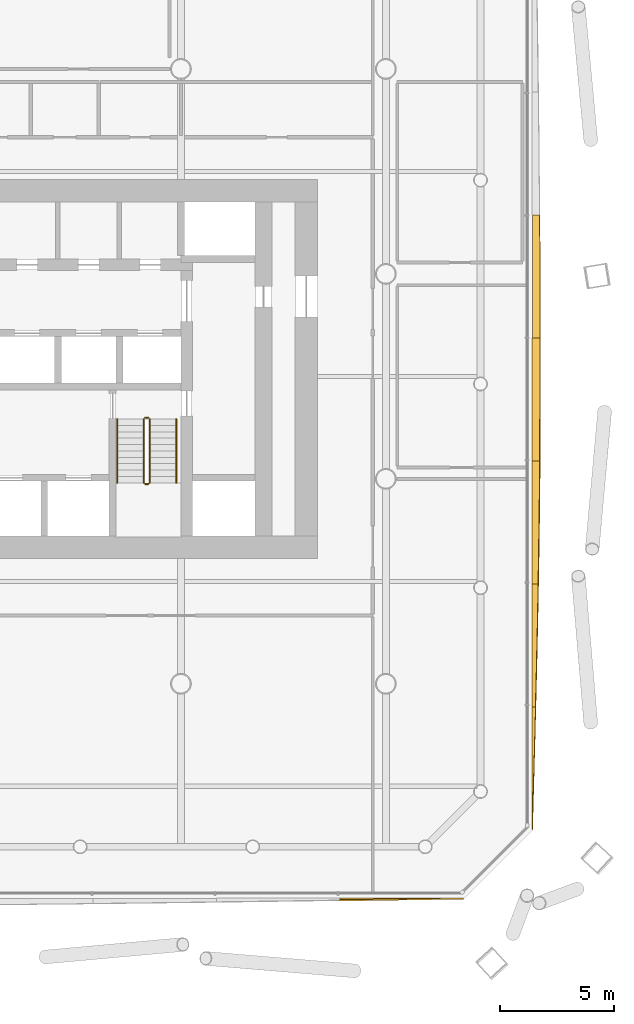
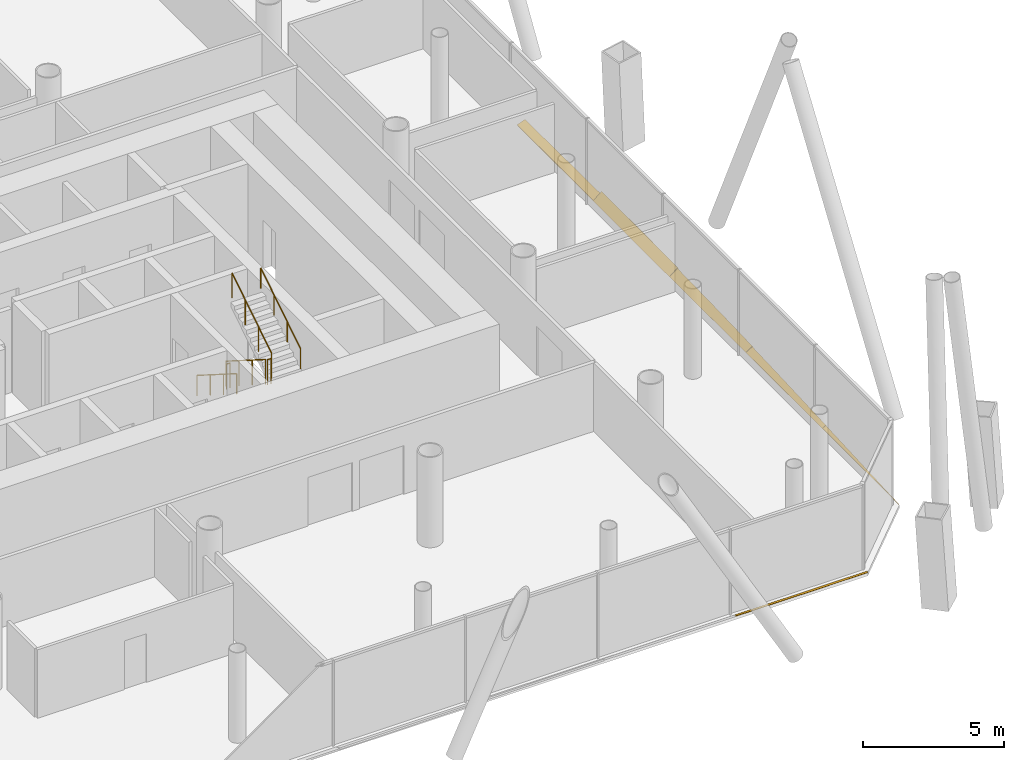
# One storey, part 23 of 25: 6 railings, 6 shading devices.
"""IFC4 building model written with IfcOpenShell, lengths in metres."""

from ifc_helpers import new_model, si_unit, direction, frame, origin, origin_2d, place, context, subcontext, project, spatial, polyline, circle, outline, extrude, material, layer, layer_set, type_object, element, save


model = new_model("IFC4")

# Units and contexts
model_context = context("Model", 3, precision=1e-05, world=origin(), true_north=direction((0.0, 1.0)))
body_context = subcontext(model_context, "Body", "Model", "MODEL_VIEW")
ifc_project = project(units=[si_unit("LENGTHUNIT", "METRE"), si_unit("AREAUNIT", "SQUARE_METRE"), si_unit("VOLUMEUNIT", "CUBIC_METRE"), si_unit("PLANEANGLEUNIT", "RADIAN"), si_unit("MASSUNIT", "GRAM", prefix="KILO")], contexts=[model_context])

# Site, building, storey
site_placement = place(None, origin())
site = spatial("IfcSite", under=ifc_project, at=site_placement, CompositionType="ELEMENT")
building_placement = place(site_placement, origin())
building = spatial("IfcBuilding", under=site, at=building_placement, Name="Tskaro Facet Tower", CompositionType="ELEMENT")
storey_placement = place(building_placement, frame((0.0, 0.0, 22.5)))
storey = spatial("IfcBuildingStorey", under=building, at=storey_placement, Name="L04", CompositionType="ELEMENT", Elevation=22.5)

# Shading devices
ifc_material_1 = material(Name="Bronze anodised aluminium 6063-T6", Category="aluminium")
ifc_layer = layer(ifc_material_1, 0.06005859375, Name="Bronze anodised aluminium 6063-T6")
ifc_layer_set = layer_set([ifc_layer], Name="Bronze anodised aluminium 6063-T6")
shading_device_type = type_object("IfcShadingDeviceType", Name="Bronze sun blade (FN1)", PredefinedType="USERDEFINED", material=ifc_layer_set)
shading_device_1_placement = place(storey_placement, frame((15.98486328125, -27.413330078125, 0.0458984375), z_axis=(-9.024937e-06, 0.642137538732, 0.766589447664), x_axis=(0.999999999959, 5.795251e-06, 6.918421e-06)))
element("IfcShadingDevice", 1, at=shading_device_1_placement, inside=storey, type_object=shading_device_type, Name="Fin blade south 9", ObjectType="FIN", PredefinedType="USERDEFINED", context=body_context, shape_type="SweptSolid", body=[
    extrude(outline(polyline([(0.0, 0.0), (5.424072265404106, 0.0), (4.746093749500129, -0.013347551430598995), (4.068115233596151, -0.02669510286119799), (3.39013671910703, -0.03985549866491826), (2.7119140625780633, -0.053203050095517256), (2.0339355463998743, -0.06620667403918917), (1.3559570319107532, -0.07936706984290944), (0.6779785157325643, -0.09237069378658136), (-4.4562458562692185e-10, -0.10537431773025327), (0.0, 0.0)])), origin(), (0.0, 0.0, -1.0), 0.06005859375),
])
shading_device_2_placement = place(storey_placement, frame((24.4267578125, -24.408935546875, 0.054443359375), z_axis=(-0.422618801449, -3.185785e-06, 0.906307535361), x_axis=(-1.346372e-06, 0.999999999995, 2.887301e-06)))
element("IfcShadingDevice", 2, at=shading_device_2_placement, inside=storey, type_object=shading_device_type, Name="Fin blade east 1", ObjectType="FIN", PredefinedType="USERDEFINED", context=body_context, shape_type="SweptSolid", body=[
    extrude(outline(polyline([(0.0, 0.0), (5.397705078097609, 0.0), (5.397705078154145, -0.16055842721708036), (4.722900390733626, -0.14144361875545267), (4.0480957029369025, -0.12200436538737569), (3.3735351560938835, -0.10234384553117237), (2.6987304685783657, -0.08213761428039341), (2.024169922016551, -0.061710116541488134), (1.3493652341248308, -0.04117944038425987), (0.6745605472667218, -0.02053067615722826), (0.0, 0.0)])), origin(), (0.0, 0.0, -1.0), 0.06005859375),
])
shading_device_3_placement = place(storey_placement, frame((24.422119140625, -19.01123046875, 0.052001953125), z_axis=(-0.500064993604, 7.144409e-06, 0.865987876429), x_axis=(3.572669e-06, 0.999999999974, -6.186971e-06)))
element("IfcShadingDevice", 3, at=shading_device_3_placement, inside=storey, type_object=shading_device_type, Name="Fin blade east 2", ObjectType="FIN", PredefinedType="USERDEFINED", context=body_context, shape_type="SweptSolid", body=[
    extrude(outline(polyline([(0.0, 0.0), (5.39746093736225, 0.0), (5.397460937934301, -0.3052747781265274), (4.722900389524611, -0.29074029219139386), (4.0480957032769345, -0.2754167020732157), (3.3735351565480403, -0.2593367573107583), (2.6987304687262013, -0.24216694890254026), (2.0239257815426197, -0.22466363149284105), (1.3493652338778217, -0.2064039594388625), (0.6745605468645454, -0.1874772693819215), (2.4228667677825445e-10, -0.16800564750210029), (0.0, 0.0)])), origin(), (0.0, 0.0, -1.0), 0.06005859375),
])
shading_device_4_placement = place(storey_placement, frame((24.41748046875, -13.61376953125, 0.049072265625), z_axis=(-0.573517472878, 1.2674034e-05, 0.819193327697), x_axis=(7.26878e-06, 0.99999999992, -1.0382484e-05)))
element("IfcShadingDevice", 4, at=shading_device_4_placement, inside=storey, type_object=shading_device_type, Name="Fin blade east 3", ObjectType="FIN", PredefinedType="USERDEFINED", context=body_context, shape_type="SweptSolid", body=[
    extrude(outline(polyline([(0.0, 0.0), (5.39770507769148, 9.144068081467444e-21), (5.397705079054119, -0.40881592277768947), (4.723144531973973, -0.4019756576152565), (4.04833984224, -0.3940553611401043), (3.373535155546753, -0.38477499552365635), (2.698974609224246, -0.3746145969655248), (2.0241699227826997, -0.3632341481803858), (1.3496093749372875, -0.35077366808252747), (0.6748046862126539, -0.33743315504298554), (-2.3143455135651923e-10, -0.32307259014747186), (0.0, 0.0)])), origin(), (0.0, 0.0, -1.0), 0.06005859375),
])
shading_device_5_placement = place(storey_placement, frame((24.413330078125, -8.216064453125, 0.0458984375), z_axis=(-0.642778128944, -4.182197e-06, 0.766052398295), x_axis=(-2.688225e-06, 0.999999999991, 3.203782e-06)))
element("IfcShadingDevice", 5, at=shading_device_5_placement, inside=storey, type_object=shading_device_type, Name="Fin blade east 4", ObjectType="FIN", PredefinedType="USERDEFINED", context=body_context, shape_type="SweptSolid", body=[
    extrude(outline(polyline([(0.0, 0.0), (5.397705078077795, 2.286017020366861e-21), (5.397705078097903, -0.4516014266881905), (4.72314453107597, -0.4531642622612637), (4.04833984383361, -0.4538521677921482), (3.4328613283398606, -0.45419612055759045), (3.3735351564653793, -0.45419612055759045), (2.6989746093445417, -0.45350821502670596), (2.024169921751537, -0.4512574739227483), (1.3493652344372318, -0.4477878500111596), (0.674804687370319, -0.44328636780324426), (-1.6876069449553112e-10, -0.43722205002225567), (0.0, 0.0)])), origin(), (0.0, 0.0, -1.0), 0.06005859375),
])
shading_device_6_placement = place(storey_placement, frame((24.431396484375, -2.818359375, 0.056396484375), z_axis=(-0.341900866256, 3.957878e-06, 0.939736025508), x_axis=(1.353202e-06, 0.999999999992, -3.719361e-06)))
element("IfcShadingDevice", 6, at=shading_device_6_placement, inside=storey, type_object=shading_device_type, Name="Fin blade east 5", ObjectType="FIN", PredefinedType="USERDEFINED", context=body_context, shape_type="SweptSolid", body=[
    extrude(outline(polyline([(0.0, 0.0), (5.397705078082723, 0.0), (5.3977050778141145, -0.34113818739585633), (4.72290039024013, -0.34608161770557416), (4.0483398438688205, -0.3507121483835112), (3.3735351562117675, -0.3548838235802395), (2.698974609427018, -0.3585131714045827), (2.0241699222645746, -0.36160019185654074), (1.3493652344413871, -0.36422835682729005), (0.674804687490502, -0.3663141944256542), (-4.157527887777225e-10, -0.36817060428341397), (0.0, 0.0)])), origin(), (0.0, 0.0, -1.0), 0.06005859375),
])

# Railings
ifc_material_2 = material(Name="Stainless steel", Category="steel")
railing_type_1 = type_object("IfcRailingType", Name="RL-GUARD-1100", PredefinedType="GUARDRAIL", material=ifc_material_2)
railing_1_placement = place(storey_placement, frame((7.375, -6.375, 0.17724609375)))
element("IfcRailing", 7, at=railing_1_placement, inside=storey, type_object=railing_type_1, Name="L04 ST-2 stair guard 1", PredefinedType="GUARDRAIL", context=body_context, shape_type="SweptSolid", body=[
    extrude(circle(Radius=0.02392578125, at=origin_2d()), frame((0.0, 0.0, 1.076171875), z_axis=(0.0, -0.844908973607, 0.534910110503), x_axis=(1.0, 0.0, 0.0)), (0.0, 0.0, 1.0), 3.31396484375),
    extrude(circle(Radius=0.02099609375, at=origin_2d()), origin(), (0.0, 0.0, 1.0), 1.052001953125),
    extrude(circle(Radius=0.02099609375, at=origin_2d()), frame((0.0, -0.933349609375, 0.5908203125)), (0.0, 0.0, 1.0), 1.052001953125),
    extrude(circle(Radius=0.02099609375, at=origin_2d()), frame((0.0, -1.86669921875, 1.181884765625)), (0.0, 0.0, 1.0), 1.052001953125),
    extrude(circle(Radius=0.02099609375, at=origin_2d()), frame((0.0, -2.800048828125, 1.772705078125)), (0.0, 0.0, 1.0), 1.052001953125),
])
railing_2_placement = place(storey_placement, frame((7.425048828125, -9.22509765625, 1.949951171875)))
element("IfcRailing", 8, at=railing_2_placement, inside=storey, type_object=railing_type_1, Name="L04 ST-2 stair guard 2", PredefinedType="GUARDRAIL", context=body_context, shape_type="SweptSolid", body=[
    extrude(circle(Radius=0.02392578125, at=origin_2d()), frame((0.0, 0.0, 1.076171875), z_axis=(1.0, 0.0, 0.0), x_axis=(0.0, 1.0, 0.0)), (0.0, 0.0, 1.0), 0.14990234375),
    extrude(circle(Radius=0.02099609375, at=origin_2d()), origin(), (0.0, 0.0, 1.0), 1.052001953125),
    extrude(circle(Radius=0.02099609375, at=origin_2d()), frame((0.14990234375, 0.0, 0.0)), (0.0, 0.0, 1.0), 1.052001953125),
])
railing_3_placement = place(storey_placement, frame((7.625, -9.175048828125, 2.127197265625)))
element("IfcRailing", 9, at=railing_3_placement, inside=storey, type_object=railing_type_1, Name="L04 ST-2 stair guard 3", PredefinedType="GUARDRAIL", context=body_context, shape_type="SweptSolid", body=[
    extrude(circle(Radius=0.02392578125, at=origin_2d()), frame((0.0, 0.0, 1.076171875), z_axis=(0.0, 0.844908973607, 0.534910110503), x_axis=(-1.0, 0.0, 0.0)), (0.0, 0.0, 1.0), 3.31396484375),
    extrude(circle(Radius=0.02099609375, at=origin_2d()), origin(), (0.0, 0.0, 1.0), 1.052001953125),
    extrude(circle(Radius=0.02099609375, at=origin_2d()), frame((0.0, 0.933349609375, 0.5908203125)), (0.0, 0.0, 1.0), 1.052001953125),
    extrude(circle(Radius=0.02099609375, at=origin_2d()), frame((0.0, 1.86669921875, 1.181884765625)), (0.0, 0.0, 1.0), 1.052001953125),
    extrude(circle(Radius=0.02099609375, at=origin_2d()), frame((0.0, 2.800048828125, 1.772705078125)), (0.0, 0.0, 1.0), 1.052001953125),
])
railing_4_placement = place(storey_placement, frame((7.425048828125, -6.324951171875, 0.0)))
element("IfcRailing", 10, at=railing_4_placement, inside=storey, type_object=railing_type_1, Name="L04 ST-2 stair guard 4", PredefinedType="GUARDRAIL", context=body_context, shape_type="SweptSolid", body=[
    extrude(circle(Radius=0.02392578125, at=origin_2d()), frame((0.0, 0.0, 1.076171875), z_axis=(1.0, 0.0, 0.0), x_axis=(0.0, 1.0, 0.0)), (0.0, 0.0, 1.0), 0.14990234375),
    extrude(circle(Radius=0.02099609375, at=origin_2d()), origin(), (0.0, 0.0, 1.0), 1.052001953125),
    extrude(circle(Radius=0.02099609375, at=origin_2d()), frame((0.14990234375, 0.0, 0.0)), (0.0, 0.0, 1.0), 1.052001953125),
])
railing_type_2 = type_object("IfcRailingType", Name="RL-HANDRAIL-900", PredefinedType="HANDRAIL", material=ifc_material_2)
railing_5_placement = place(storey_placement, frame((6.199951171875, -6.375, 0.17724609375)))
element("IfcRailing", 11, at=railing_5_placement, inside=storey, type_object=railing_type_2, Name="L04 ST-2 stair handrail 1", PredefinedType="HANDRAIL", context=body_context, shape_type="SweptSolid", body=[
    extrude(circle(Radius=0.02392578125, at=origin_2d()), frame((0.0, 0.0, 0.8759765625), z_axis=(0.0, -0.844908973607, 0.534910110503), x_axis=(1.0, 0.0, 0.0)), (0.0, 0.0, 1.0), 3.31396484375),
    extrude(circle(Radius=0.02099609375, at=origin_2d()), origin(), (0.0, 0.0, 1.0), 0.851806640625),
    extrude(circle(Radius=0.02099609375, at=origin_2d()), frame((0.0, -0.933349609375, 0.5908203125)), (0.0, 0.0, 1.0), 0.851806640625),
    extrude(circle(Radius=0.02099609375, at=origin_2d()), frame((0.0, -1.86669921875, 1.181884765625)), (0.0, 0.0, 1.0), 0.851806640625),
    extrude(circle(Radius=0.02099609375, at=origin_2d()), frame((0.0, -2.800048828125, 1.772705078125)), (0.0, 0.0, 1.0), 0.851806640625),
])
railing_6_placement = place(storey_placement, frame((8.800048828125, -9.175048828125, 2.127197265625)))
element("IfcRailing", 12, at=railing_6_placement, inside=storey, type_object=railing_type_2, Name="L04 ST-2 stair handrail 2", PredefinedType="HANDRAIL", context=body_context, shape_type="SweptSolid", body=[
    extrude(circle(Radius=0.02392578125, at=origin_2d()), frame((0.0, 0.0, 0.8759765625), z_axis=(0.0, 0.844908973607, 0.534910110503), x_axis=(-1.0, 0.0, 0.0)), (0.0, 0.0, 1.0), 3.31396484375),
    extrude(circle(Radius=0.02099609375, at=origin_2d()), origin(), (0.0, 0.0, 1.0), 0.851806640625),
    extrude(circle(Radius=0.02099609375, at=origin_2d()), frame((0.0, 0.933349609375, 0.5908203125)), (0.0, 0.0, 1.0), 0.851806640625),
    extrude(circle(Radius=0.02099609375, at=origin_2d()), frame((0.0, 1.86669921875, 1.181884765625)), (0.0, 0.0, 1.0), 0.851806640625),
    extrude(circle(Radius=0.02099609375, at=origin_2d()), frame((0.0, 2.800048828125, 1.772705078125)), (0.0, 0.0, 1.0), 0.851806640625),
])

save(model, "model.ifc")
